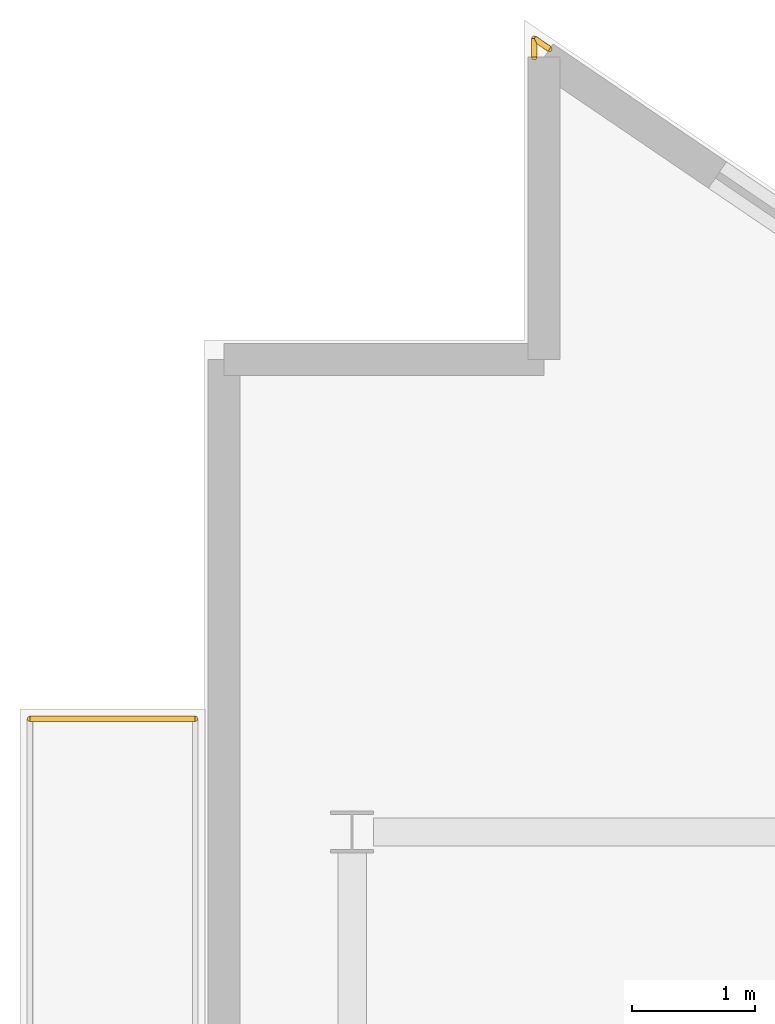
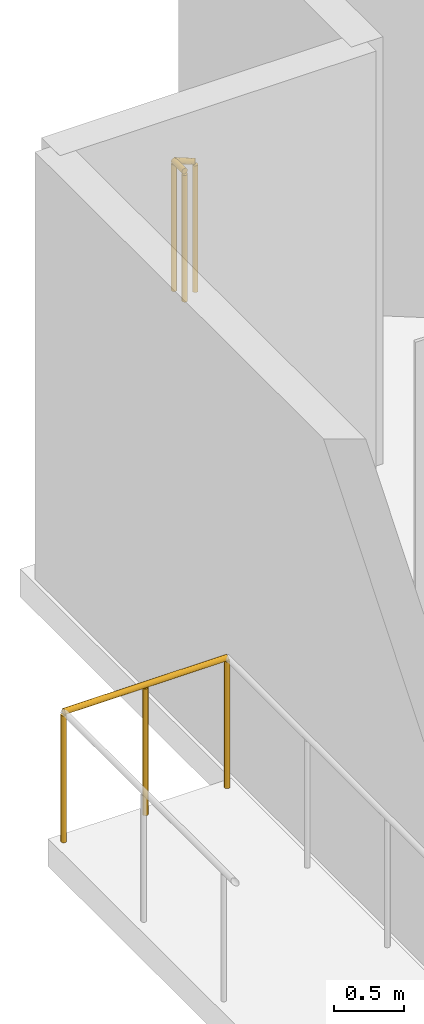
# One storey, part 20 of 21: 3 railings.
"""IFC4 building model written with IfcOpenShell, lengths in metres."""

from ifc_helpers import new_model, si_unit, direction, frame, origin, origin_2d, place, context, subcontext, project, spatial, circle, extrude, material, type_object, element, save


model = new_model("IFC4")

# Units and contexts
model_context = context("Model", 3, precision=1e-05, world=origin(), true_north=direction((0.0, 1.0)))
body_context = subcontext(model_context, "Body", "Model", "MODEL_VIEW")
ifc_project = project(units=[si_unit("LENGTHUNIT", "METRE"), si_unit("AREAUNIT", "SQUARE_METRE"), si_unit("VOLUMEUNIT", "CUBIC_METRE"), si_unit("PLANEANGLEUNIT", "RADIAN"), si_unit("MASSUNIT", "GRAM", prefix="KILO")], contexts=[model_context])

# Site, building, storey
site_placement = place(None, origin())
site = spatial("IfcSite", under=ifc_project, at=site_placement, CompositionType="ELEMENT")
building_placement = place(site_placement, origin())
building = spatial("IfcBuilding", under=site, at=building_placement, Name="Varnakote Quay Hospital", CompositionType="ELEMENT")
storey_placement = place(building_placement, frame((0.0, 0.0, 34.35009765625)))
storey = spatial("IfcBuildingStorey", under=building, at=storey_placement, Name="L08", CompositionType="ELEMENT", Elevation=34.35009765625)

# Railings
ifc_material = material(Name="Anodised aluminium 6063-T6 Bronze", Category="aluminium")
railing_type = type_object("IfcRailingType", Name="RLG-EXT-GUARD-1150", PredefinedType="GUARDRAIL", material=ifc_material)
railing_1_placement = place(storey_placement, frame((-1.419921875, 38.1201171875, 0.0)))
element("IfcRailing", 1, at=railing_1_placement, inside=storey, type_object=railing_type, Name="L08 Zigzag Prow Healing Terrace Safety Guard", PredefinedType="GUARDRAIL", context=body_context, shape_type="SweptSolid", body=[
    extrude(circle(Radius=0.02392578125, at=origin_2d()), frame((0.0, 0.0, 1.1259765625), z_axis=(1.0, 0.0, 0.0), x_axis=(0.0, 1.0, 0.0)), (0.0, 0.0, 1.0), 1.343994140625),
    extrude(circle(Radius=0.02099609375, at=origin_2d()), origin(), (0.0, 0.0, 1.0), 1.101806640625),
    extrude(circle(Radius=0.02099609375, at=origin_2d()), frame((0.671875, 0.0, 0.0)), (0.0, 0.0, 1.0), 1.101806640625),
    extrude(circle(Radius=0.02099609375, at=origin_2d()), frame((1.343994140625, 0.0, 0.0)), (0.0, 0.0, 1.0), 1.101806640625),
])
railing_2_placement = place(storey_placement, frame((2.679931640625, 43.497802734375, 0.0)))
element("IfcRailing", 2, at=railing_2_placement, inside=storey, type_object=railing_type, Name="L08 Slab Edge Perimeter Safety Guard", PredefinedType="GUARDRAIL", context=body_context, shape_type="SweptSolid", body=[
    extrude(circle(Radius=0.02392578125, at=origin_2d()), frame((0.0, 0.0, 1.1259765625), z_axis=(0.0, 1.0, 0.0), x_axis=(-1.0, 0.0, 0.0)), (0.0, 0.0, 1.0), 0.151123046875),
    extrude(circle(Radius=0.02099609375, at=origin_2d()), origin(), (0.0, 0.0, 1.0), 1.101806640625),
    extrude(circle(Radius=0.02099609375, at=origin_2d()), frame((0.0, 0.151123046875, 0.0)), (0.0, 0.0, 1.0), 1.101806640625),
])
railing_3_placement = place(storey_placement, frame((2.679931640625, 43.64892578125, 0.0)))
element("IfcRailing", 3, at=railing_3_placement, inside=storey, type_object=railing_type, Name="L08 Slab Edge Perimeter Safety Guard", PredefinedType="GUARDRAIL", context=body_context, shape_type="SweptSolid", body=[
    extrude(circle(Radius=0.02392578125, at=origin_2d()), frame((0.0, 0.0, 1.1259765625), z_axis=(0.827046660574, -0.562133277109, 0.0), x_axis=(0.562133277109, 0.827046660574, 0.0)), (0.0, 0.0, 1.0), 0.151123046875),
    extrude(circle(Radius=0.02099609375, at=origin_2d()), origin(), (0.0, 0.0, 1.0), 1.101806640625),
    extrude(circle(Radius=0.02099609375, at=origin_2d()), frame((0.125, -0.0849609375, 0.0)), (0.0, 0.0, 1.0), 1.101806640625),
])

save(model, "model.ifc")
